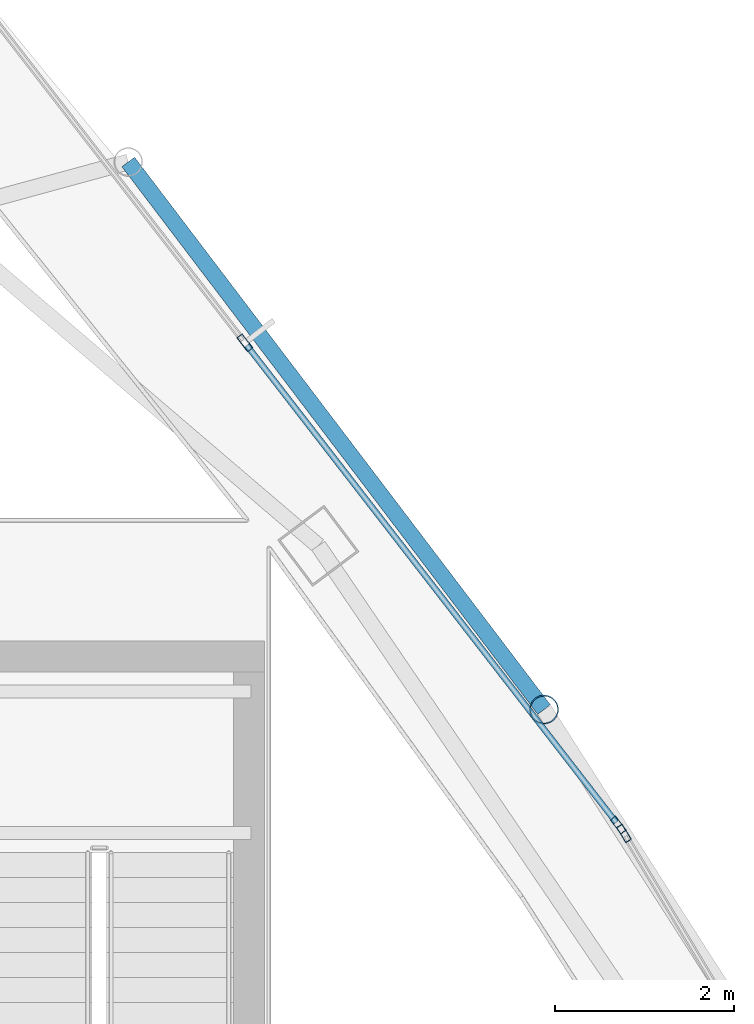
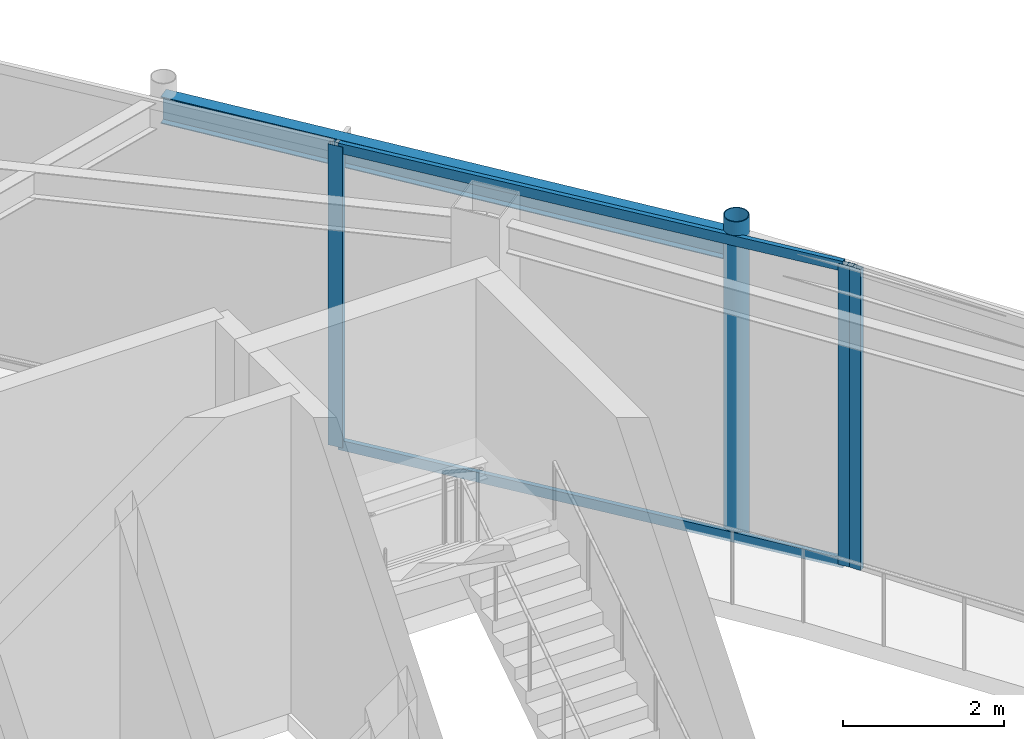
# One storey, part 10 of 19: 6 members, 1 beam, 2 elements without a shape of their own.
"""IFC4 building model written with IfcOpenShell, lengths in metres."""

from ifc_helpers import new_model, si_unit, direction, frame, origin, origin_2d, place, context, subcontext, project, spatial, hollow_rectangle, hollow_circle, i_section, extrude, material, layer, layer_set, material_profile, profile_set, type_object, element, aggregate, save


model = new_model("IFC4")

# Units and contexts
model_context = context("Model", 3, precision=1e-05, world=origin(), true_north=direction((0.0, 1.0)))
body_context = subcontext(model_context, "Body", "Model", "MODEL_VIEW")
ifc_project = project(units=[si_unit("LENGTHUNIT", "METRE"), si_unit("AREAUNIT", "SQUARE_METRE"), si_unit("VOLUMEUNIT", "CUBIC_METRE"), si_unit("PLANEANGLEUNIT", "RADIAN"), si_unit("MASSUNIT", "GRAM", prefix="KILO")], contexts=[model_context])

# Site, building, storey
site_placement = place(None, origin())
site = spatial("IfcSite", under=ifc_project, at=site_placement, CompositionType="ELEMENT")
building_placement = place(site_placement, origin())
building = spatial("IfcBuilding", under=site, at=building_placement, Name="Orvanel Arch Residences", CompositionType="ELEMENT")
storey_placement = place(building_placement, frame((0.0, 0.0, 286.10009765625)))
storey = spatial("IfcBuildingStorey", under=building, at=storey_placement, Name="L81", CompositionType="ELEMENT", Elevation=286.10009765625)

# Curtain wall, member
ifc_material_1 = material(Name="Bronze-anodised aluminium AA6063-T6", Category="aluminium")
ifc_layer = layer(ifc_material_1, 0.2099609375)
ifc_layer_set = layer_set([ifc_layer], Name="Bronze-anodised aluminium AA6063-T6")
curtain_wall_type = type_object("IfcCurtainWallType", Name="CW7-TOP-SYS", PredefinedType="NOTDEFINED", material=ifc_layer_set)
curtain_wall_1_placement = place(storey_placement, origin())
curtain_wall_1 = element("IfcCurtainWall", 1, at=curtain_wall_1_placement, inside=storey, type_object=curtain_wall_type, Name="L81 CW7-TOP-SYS Unitised Curtain Wall", PredefinedType="NOTDEFINED")
ifc_material_profile_1 = material_profile(ifc_material_1, hollow_rectangle(XDim=0.074951171875, YDim=0.199951171875, WallThickness=0.0048828125, at=origin_2d()), Name="ALU200x75x5")
ifc_profile_set_1 = profile_set([ifc_material_profile_1], Name="Bronze-anodised aluminium AA6063-T6")
member_type_1 = type_object("IfcMemberType", Name="MUL-200x75", PredefinedType="MULLION", material=ifc_profile_set_1)
member_1_placement = place(storey_placement, frame((43.773193359375, 31.892822265625, 0.0), z_axis=(0.0, 0.0, 1.0), x_axis=(-0.857522096821, -0.514447133788, 0.0)))
member_1 = element("IfcMember", 2, at=member_1_placement, type_object=member_type_1, Name="CW-S7 mullion 2", PredefinedType="MULLION", context=body_context, shape_type="SweptSolid", body=[
    extrude(hollow_rectangle(XDim=0.074951171875, YDim=0.199951171875, WallThickness=0.0048828125, at=origin_2d()), origin(), (0.0, 0.0, 1.0), 4.5498046875),
])
aggregate(curtain_wall_1, [member_1])

# Curtain wall, members
curtain_wall_2_placement = place(storey_placement, origin())
curtain_wall_2 = element("IfcCurtainWall", 3, at=curtain_wall_2_placement, inside=storey, type_object=curtain_wall_type, Name="L81 CW7-TOP-SYS Unitised Curtain Wall", PredefinedType="NOTDEFINED")
member_2_placement = place(storey_placement, frame((43.708984375, 31.987548828125, 0.0), z_axis=(0.0, 0.0, 1.0), x_axis=(-0.790656592833, -0.612259873102, 0.0)))
member_2 = element("IfcMember", 4, at=member_2_placement, type_object=member_type_1, Name="CW-S7 mullion 1", PredefinedType="MULLION", context=body_context, shape_type="SweptSolid", body=[
    extrude(hollow_rectangle(XDim=0.074951171875, YDim=0.199951171875, WallThickness=0.0048828125, at=origin_2d()), origin(), (0.0, 0.0, 1.0), 4.5498046875),
])
member_3_placement = place(storey_placement, frame((39.529541015625, 37.385009765625, 0.0), z_axis=(0.0, 0.0, 1.0), x_axis=(-0.790656592833, -0.612259873102, 0.0)))
member_3 = element("IfcMember", 5, at=member_3_placement, type_object=member_type_1, Name="CW-S7 mullion 2", PredefinedType="MULLION", context=body_context, shape_type="SweptSolid", body=[
    extrude(hollow_rectangle(XDim=0.074951171875, YDim=0.199951171875, WallThickness=0.0048828125, at=origin_2d()), origin(), (0.0, 0.0, 1.0), 4.5498046875),
])

# Beam
ifc_material_2 = material(Name="Structural steel AS/NZS 3679.1 Grade 300 (300 MPa)", Category="steel")
ifc_material_profile_2 = material_profile(ifc_material_2, i_section(OverallWidth=0.177978515625, OverallDepth=0.406005859375, WebThickness=0.0078125, FlangeThickness=0.0126953125, at=origin_2d()), Name="410UB59.7")
ifc_profile_set_2 = profile_set([ifc_material_profile_2], Name="Structural steel AS/NZS 3679.1 Grade 300 (300 MPa)")
beam_type = type_object("IfcBeamType", Name="OB-410UB-EXT", PredefinedType="SPANDREL", material=ifc_profile_set_2)
beam_placement = place(storey_placement, frame((42.87890625, 33.280029296875, 4.346923828125), z_axis=(-0.604759912546, 0.796407840354, 0.0), x_axis=(-0.796407840354, -0.604759912546, 0.0)))
element("IfcBeam", 6, at=beam_placement, inside=storey, type_object=beam_type, Name="L81 Outer Perimeter Floor Ring Beam 11", PredefinedType="SPANDREL", context=body_context, shape_type="SweptSolid", body=[
    extrude(i_section(OverallWidth=0.177978515625, OverallDepth=0.406005859375, WebThickness=0.0078125, FlangeThickness=0.0126953125, at=origin_2d()), origin(), (0.0, 0.0, 1.0), 7.697021484375),
])

# Member
ifc_material_3 = material(Name="Structural steel AS/NZS 1163 C350L0 (Grade 350)", Category="steel")
ifc_material_profile_3 = material_profile(ifc_material_3, hollow_circle(Radius=0.162109375, WallThickness=0.0126953125, at=origin_2d()), Name="CHS324x12.7")
ifc_profile_set_3 = profile_set([ifc_material_profile_3], Name="Structural steel AS/NZS 1163 C350L0 (Grade 350)")
member_type_2 = type_object("IfcMemberType", Name="ST-324CHS-EXT", PredefinedType="STRUT", material=ifc_profile_set_3)
member_4_placement = place(storey_placement, frame((42.87890625, 33.280029296875, 0.0), z_axis=(0.0, 0.0, 1.0), x_axis=(1.0, 0.0, 0.0)))
element("IfcMember", 7, at=member_4_placement, inside=storey, type_object=member_type_2, Name="L81 Outer Perimeter Frame Post 11", PredefinedType="STRUT", context=body_context, shape_type="SweptSolid", body=[
    extrude(hollow_circle(Radius=0.162109375, WallThickness=0.0126953125, at=origin_2d()), origin(), (0.0, 0.0, 1.0), 4.7998046875),
])

ifc_material_profile_4 = material_profile(ifc_material_1, hollow_rectangle(XDim=0.06494140625, YDim=0.14990234375, WallThickness=0.00390625, at=origin_2d()), Name="ALU150x65x4")
ifc_profile_set_4 = profile_set([ifc_material_profile_4], Name="Bronze-anodised aluminium AA6063-T6")
member_type_3 = type_object("IfcMemberType", Name="TRN-150x65", PredefinedType="USERDEFINED", material=ifc_profile_set_4)
member_5_placement = place(storey_placement, frame((43.68603515625, 32.017333984375, 0.032470703125), z_axis=(-0.612246853971, 0.790666674271, 0.0), x_axis=(-0.790666674271, -0.612246853971, 0.0)))
member_5 = element("IfcMember", 8, at=member_5_placement, type_object=member_type_3, Name="CW-S7 transom 1.1", ObjectType="TRANSOM", PredefinedType="USERDEFINED", context=body_context, shape_type="SweptSolid", body=[
    extrude(hollow_rectangle(XDim=0.06494140625, YDim=0.14990234375, WallThickness=0.00390625, at=origin_2d()), origin(), (0.0, 0.0, 1.0), 6.75146484375),
])

member_6_placement = place(storey_placement, frame((43.68603515625, 32.017333984375, 4.517333984375), z_axis=(-0.612246853971, 0.790666674271, 0.0), x_axis=(-0.790666674271, -0.612246853971, 0.0)))
member_6 = element("IfcMember", 9, at=member_6_placement, type_object=member_type_3, Name="CW-S7 transom 1.2", ObjectType="TRANSOM", PredefinedType="USERDEFINED", context=body_context, shape_type="SweptSolid", body=[
    extrude(hollow_rectangle(XDim=0.06494140625, YDim=0.14990234375, WallThickness=0.00390625, at=origin_2d()), origin(), (0.0, 0.0, 1.0), 6.75146484375),
])

aggregate(curtain_wall_2, [member_2, member_3, member_5, member_6])

save(model, "model.ifc")
